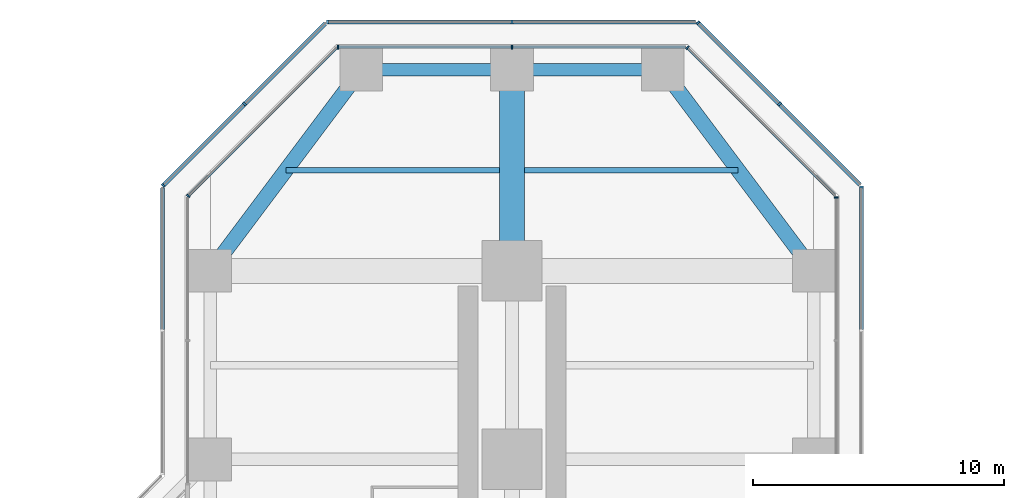
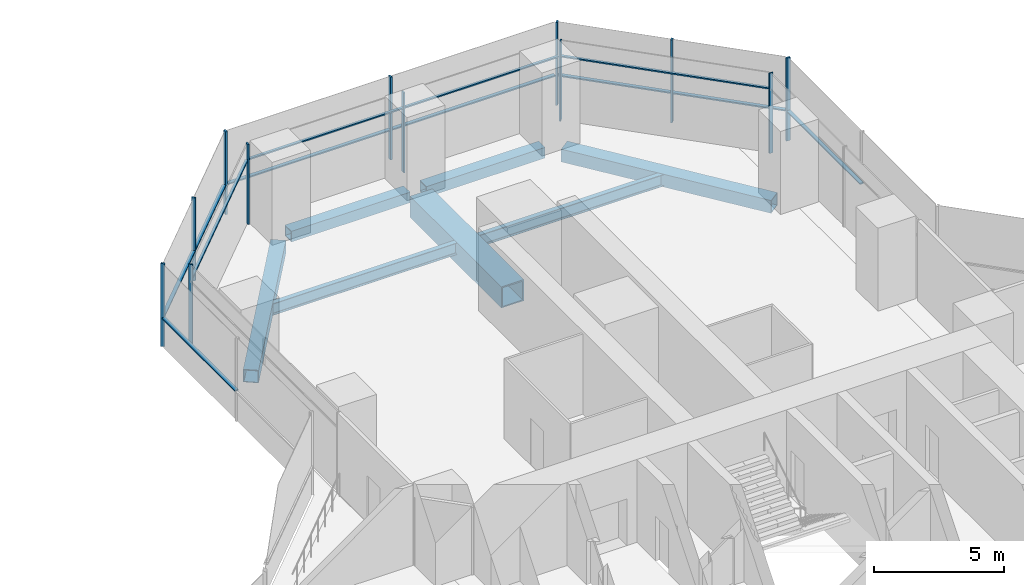
# One storey, part 13 of 22: 24 members, 7 beams, 9 elements without a shape of their own.
"""IFC4 building model written with IfcOpenShell, lengths in metres."""

from ifc_helpers import new_model, si_unit, direction, frame, origin, origin_2d, place, context, subcontext, project, spatial, rectangle, hollow_rectangle, i_section, extrude, material, material_profile, profile_set, type_object, element, aggregate, save


model = new_model("IFC4")

# Units and contexts
model_context = context("Model", 3, precision=1e-05, world=origin(), true_north=direction((0.0, 1.0)))
body_context = subcontext(model_context, "Body", "Model", "MODEL_VIEW")
ifc_project = project(units=[si_unit("LENGTHUNIT", "METRE"), si_unit("AREAUNIT", "SQUARE_METRE"), si_unit("VOLUMEUNIT", "CUBIC_METRE"), si_unit("PLANEANGLEUNIT", "RADIAN"), si_unit("MASSUNIT", "GRAM", prefix="KILO")], contexts=[model_context])

# Site, building, storey
site_placement = place(None, origin())
site = spatial("IfcSite", under=ifc_project, at=site_placement, CompositionType="ELEMENT")
building_placement = place(site_placement, origin())
building = spatial("IfcBuilding", under=site, at=building_placement, Name="Mizan Broadcast Tower", CompositionType="ELEMENT")
storey_placement = place(building_placement, frame((0.0, 0.0, 55.199951171875)))
storey = spatial("IfcBuildingStorey", under=building, at=storey_placement, Name="L10", CompositionType="ELEMENT", Elevation=55.199951171875)

# Beams
ifc_material_1 = material(Name="Steel S355", Category="steel")
ifc_material_profile_1 = material_profile(ifc_material_1, hollow_rectangle(XDim=0.5, YDim=0.5, WallThickness=0.030029296875, at=origin_2d()), Name="BOX 500x500x30")
ifc_profile_set_1 = profile_set([ifc_material_profile_1], Name="Steel S355")
beam_type_1 = type_object("IfcBeamType", Name="EDGE BEAM BOX 500x500x30", PredefinedType="SPANDREL", material=ifc_profile_set_1)
for number, where, z_axis, x_axis, name in (
    (1, (5.639892578125, 35.0, -0.3798828125), (-1.0, 0.0, 0.0), (0.0, -1.0, 0.0), "Edge beam BOX 500x500x30 L10 north arm"),
    (2, (-5.639892578125, 35.0, -0.3798828125), (1.0, 0.0, 0.0), (0.0, 1.0, 0.0), "Edge beam BOX 500x500x30 L10 north arm"),
):
    element("IfcBeam", number, at=place(storey_placement, frame(where, z_axis=z_axis, x_axis=x_axis)), inside=storey, type_object=beam_type_1, Name=name, PredefinedType="SPANDREL", context=body_context, shape_type="SweptSolid", body=[
        extrude(hollow_rectangle(XDim=0.5, YDim=0.5, WallThickness=0.030029296875, at=origin_2d()), origin(), (0.0, 0.0, 1.0), 5.27978515625),
    ])
ifc_material_2 = material(Name="Steel S355", Category="steel")
ifc_material_profile_2 = material_profile(ifc_material_2, hollow_rectangle(XDim=0.60009765625, YDim=0.60009765625, WallThickness=0.030029296875, at=origin_2d()), Name="BOX 600x600x30")
ifc_profile_set_2 = profile_set([ifc_material_profile_2], Name="Steel S355")
beam_type_2 = type_object("IfcBeamType", Name="EDGE BEAM BOX 600x600x30", PredefinedType="SPANDREL", material=ifc_profile_set_2)
for number, where, z_axis, x_axis, name in (
    (3, (11.639892578125, 27.47998046875, -0.429931640625), (-0.599982243973, 0.800013316712, 0.0), (-0.800013316712, -0.599982243973, 0.0), "Edge beam BOX 600x600x30 L10 north arm"),
    (4, (-11.639892578125, 27.47998046875, -0.429931640625), (0.599982243973, 0.800013316712, 0.0), (-0.800013316712, 0.599982243973, 0.0), "Edge beam BOX 600x600x30 L10 north arm"),
):
    element("IfcBeam", number, at=place(storey_placement, frame(where, z_axis=z_axis, x_axis=x_axis)), inside=storey, type_object=beam_type_2, Name=name, PredefinedType="SPANDREL", context=body_context, shape_type="SweptSolid", body=[
        extrude(hollow_rectangle(XDim=0.60009765625, YDim=0.60009765625, WallThickness=0.030029296875, at=origin_2d()), origin(), (0.0, 0.0, 1.0), 8.7998046875),
    ])
ifc_material_3 = material(Name="Steel S460", Category="steel")
ifc_material_profile_3 = material_profile(ifc_material_3, hollow_rectangle(XDim=1.0, YDim=1.0, WallThickness=0.06005859375, at=origin_2d()), Name="BOX 1000x1000x60")
ifc_profile_set_3 = profile_set([ifc_material_profile_3], Name="Steel S460")
beam_type_3 = type_object("IfcBeamType", Name="GIRDER BOX 1000x1000x60", PredefinedType="BEAM", material=ifc_profile_set_3)
beam_placement = place(storey_placement, frame((0.0, 27.47998046875, -0.6298828125), z_axis=(0.0, 1.0, 0.0), x_axis=(-1.0, 0.0, 0.0)))
element("IfcBeam", 5, at=beam_placement, inside=storey, type_object=beam_type_3, Name="Girder BOX 1000x1000x60 L10 north arm", PredefinedType="BEAM", context=body_context, shape_type="SweptSolid", body=[
    extrude(hollow_rectangle(XDim=1.0, YDim=1.0, WallThickness=0.06005859375, at=origin_2d()), origin(), (0.0, 0.0, 1.0), 7.0400390625),
])

# Curtain wall, member
ifc_material_4 = material(Name="Aluminium framed glazing", Category="aluminium")
curtain_wall_type_1 = type_object("IfcCurtainWallType", Name="INNER SKIN LOW ZONE", PredefinedType="USERDEFINED", material=ifc_material_4)
curtain_wall_1_placement = place(storey_placement, origin())
curtain_wall_1 = element("IfcCurtainWall", 6, at=curtain_wall_1_placement, inside=storey, type_object=curtain_wall_type_1, Name="Inner skin low zone L10 N side", ObjectType="INNER SKIN LOW ZONE", PredefinedType="USERDEFINED")
ifc_material_5 = material(Name="Aluminium, pale anodised", Category="aluminium")
ifc_material_profile_4 = material_profile(ifc_material_5, rectangle(XDim=0.159912109375, YDim=0.06005859375, at=origin_2d()), Name="MULLION 160x60")
ifc_profile_set_4 = profile_set([ifc_material_profile_4], Name="Aluminium, pale anodised")
member_type_1 = type_object("IfcMemberType", Name="INNER SKIN MULLION 60x160", PredefinedType="MULLION", material=ifc_profile_set_4)
member_1_placement = place(storey_placement, frame((12.89990234375, 29.928466796875, 0.0), z_axis=(0.0, 0.0, 1.0), x_axis=(-1.0, 0.0, 0.0)))
member_1 = element("IfcMember", 7, at=member_1_placement, type_object=member_type_1, Name="Inner skin low zone L10 N side mullion 3", PredefinedType="MULLION", context=body_context, shape_type="SweptSolid", body=[
    extrude(rectangle(XDim=0.159912109375, YDim=0.06005859375, at=origin_2d()), origin(), (0.0, 0.0, 1.0), 3.77001953125),
])
aggregate(curtain_wall_1, [member_1])

curtain_wall_2_placement = place(storey_placement, origin())
curtain_wall_2 = element("IfcCurtainWall", 8, at=curtain_wall_2_placement, inside=storey, type_object=curtain_wall_type_1, Name="Inner skin low zone L10 N chamfer", ObjectType="INNER SKIN LOW ZONE", PredefinedType="USERDEFINED")
member_2_placement = place(storey_placement, frame((6.979736328125, 35.87890625, 0.0), z_axis=(0.0, 0.0, 1.0), x_axis=(-0.707106781187, -0.707106781187, 0.0)))
member_2 = element("IfcMember", 9, at=member_2_placement, type_object=member_type_1, Name="Inner skin low zone L10 N chamfer mullion 2", PredefinedType="MULLION", context=body_context, shape_type="SweptSolid", body=[
    extrude(rectangle(XDim=0.159912109375, YDim=0.06005859375, at=origin_2d()), origin(), (0.0, 0.0, 1.0), 3.77001953125),
])

# Curtain wall, members
curtain_wall_3_placement = place(storey_placement, origin())
curtain_wall_3 = element("IfcCurtainWall", 10, at=curtain_wall_3_placement, inside=storey, type_object=curtain_wall_type_1, Name="Inner skin low zone L10 N end", ObjectType="INNER SKIN LOW ZONE", PredefinedType="USERDEFINED")
member_3_placement = place(storey_placement, frame((0.0, 35.89990234375, 0.0), z_axis=(0.0, 0.0, 1.0), x_axis=(0.0, -1.0, 0.0)))
member_3 = element("IfcMember", 11, at=member_3_placement, type_object=member_type_1, Name="Inner skin low zone L10 N end mullion 2", PredefinedType="MULLION", context=body_context, shape_type="SweptSolid", body=[
    extrude(rectangle(XDim=0.159912109375, YDim=0.06005859375, at=origin_2d()), origin(), (0.0, 0.0, 1.0), 3.77001953125),
])
member_4_placement = place(storey_placement, frame((-6.928466796875, 35.89990234375, 0.0), z_axis=(0.0, 0.0, 1.0), x_axis=(0.0, -1.0, 0.0)))
member_4 = element("IfcMember", 12, at=member_4_placement, type_object=member_type_1, Name="Inner skin low zone L10 N end mullion 3", PredefinedType="MULLION", context=body_context, shape_type="SweptSolid", body=[
    extrude(rectangle(XDim=0.159912109375, YDim=0.06005859375, at=origin_2d()), origin(), (0.0, 0.0, 1.0), 3.77001953125),
])

# Curtain wall, member
curtain_wall_4_placement = place(storey_placement, origin())
curtain_wall_4 = element("IfcCurtainWall", 13, at=curtain_wall_4_placement, inside=storey, type_object=curtain_wall_type_1, Name="Inner skin low zone L10 N chamfer", ObjectType="INNER SKIN LOW ZONE", PredefinedType="USERDEFINED")
member_5_placement = place(storey_placement, frame((-12.87890625, 29.979736328125, 0.0), z_axis=(0.0, 0.0, 1.0), x_axis=(0.707106781187, -0.707106781187, 0.0)))
member_5 = element("IfcMember", 14, at=member_5_placement, type_object=member_type_1, Name="Inner skin low zone L10 N chamfer mullion 2", PredefinedType="MULLION", context=body_context, shape_type="SweptSolid", body=[
    extrude(rectangle(XDim=0.159912109375, YDim=0.06005859375, at=origin_2d()), origin(), (0.0, 0.0, 1.0), 3.77001953125),
])

# Member
ifc_material_6 = material(Name="Aluminium, pale anodised", Category="aluminium")
ifc_material_profile_5 = material_profile(ifc_material_6, rectangle(XDim=0.1201171875, YDim=0.06005859375, at=origin_2d()), Name="TRANSOM 120x60")
ifc_profile_set_5 = profile_set([ifc_material_profile_5], Name="Aluminium, pale anodised")
member_type_2 = type_object("IfcMemberType", Name="INNER SKIN TRANSOM 60x120", PredefinedType="USERDEFINED", material=ifc_profile_set_5)
member_6_placement = place(storey_placement, frame((12.857666015625, 30.0009765625, 3.030029296875), z_axis=(-0.707106781187, 0.707106781187, 0.0), x_axis=(-0.707106781187, -0.707106781187, 0.0)))
member_6 = element("IfcMember", 15, at=member_6_placement, type_object=member_type_2, Name="Inner skin low zone L10 N chamfer transom 1.1", ObjectType="TRANSOM", PredefinedType="USERDEFINED", context=body_context, shape_type="SweptSolid", body=[
    extrude(rectangle(XDim=0.1201171875, YDim=0.06005859375, at=origin_2d()), origin(), (0.0, 0.0, 1.0), 8.28271484375),
])

aggregate(curtain_wall_2, [member_2, member_6])

member_7_placement = place(storey_placement, frame((6.898681640625, 35.89990234375, 3.030029296875), z_axis=(-1.0, 0.0, 0.0), x_axis=(0.0, -1.0, 0.0)))
member_7 = element("IfcMember", 16, at=member_7_placement, type_object=member_type_2, Name="Inner skin low zone L10 N end transom 1.1", ObjectType="TRANSOM", PredefinedType="USERDEFINED", context=body_context, shape_type="SweptSolid", body=[
    extrude(rectangle(XDim=0.1201171875, YDim=0.06005859375, at=origin_2d()), origin(), (0.0, 0.0, 1.0), 6.86865234375),
])

member_8_placement = place(storey_placement, frame((-0.030029296875, 35.89990234375, 3.030029296875), z_axis=(-1.0, 0.0, 0.0), x_axis=(0.0, -1.0, 0.0)))
member_8 = element("IfcMember", 17, at=member_8_placement, type_object=member_type_2, Name="Inner skin low zone L10 N end transom 2.1", ObjectType="TRANSOM", PredefinedType="USERDEFINED", context=body_context, shape_type="SweptSolid", body=[
    extrude(rectangle(XDim=0.1201171875, YDim=0.06005859375, at=origin_2d()), origin(), (0.0, 0.0, 1.0), 6.86865234375),
])

aggregate(curtain_wall_3, [member_3, member_4, member_7, member_8])

member_9_placement = place(storey_placement, frame((-7.0009765625, 35.857666015625, 3.030029296875), z_axis=(-0.707106781187, -0.707106781187, 0.0), x_axis=(0.707106781187, -0.707106781187, 0.0)))
member_9 = element("IfcMember", 18, at=member_9_placement, type_object=member_type_2, Name="Inner skin low zone L10 N chamfer transom 1.1", ObjectType="TRANSOM", PredefinedType="USERDEFINED", context=body_context, shape_type="SweptSolid", body=[
    extrude(rectangle(XDim=0.1201171875, YDim=0.06005859375, at=origin_2d()), origin(), (0.0, 0.0, 1.0), 8.28271484375),
])

aggregate(curtain_wall_4, [member_5, member_9])

# Curtain wall, member
ifc_material_7 = material(Name="Aluminium framed glazing", Category="aluminium")
curtain_wall_type_2 = type_object("IfcCurtainWallType", Name="OUTER SKIN", PredefinedType="USERDEFINED", material=ifc_material_7)
curtain_wall_5_placement = place(storey_placement, origin())
curtain_wall_5 = element("IfcCurtainWall", 19, at=curtain_wall_5_placement, inside=storey, type_object=curtain_wall_type_2, Name="Outer skin L10 N side", ObjectType="OUTER SKIN", PredefinedType="USERDEFINED")
ifc_material_8 = material(Name="Aluminium, pale anodised", Category="aluminium")
ifc_material_profile_6 = material_profile(ifc_material_8, rectangle(XDim=0.159912109375, YDim=0.080078125, at=origin_2d()), Name="MULLION 160x80")
ifc_profile_set_6 = profile_set([ifc_material_profile_6], Name="Aluminium, pale anodised")
member_type_3 = type_object("IfcMemberType", Name="OUTER SKIN MULLION 80x160", PredefinedType="MULLION", material=ifc_profile_set_6)
member_10_placement = place(storey_placement, frame((13.89990234375, 30.332763671875, 0.0), z_axis=(0.0, 0.0, 1.0), x_axis=(-1.0, 0.0, 0.0)))
member_10 = element("IfcMember", 20, at=member_10_placement, type_object=member_type_3, Name="Outer skin L10 N side mullion 3", PredefinedType="MULLION", context=body_context, shape_type="SweptSolid", body=[
    extrude(rectangle(XDim=0.159912109375, YDim=0.080078125, at=origin_2d()), origin(), (0.0, 0.0, 1.0), 3.900146484375),
])

# Curtain wall, members
curtain_wall_6_placement = place(storey_placement, origin())
curtain_wall_6 = element("IfcCurtainWall", 21, at=curtain_wall_6_placement, inside=storey, type_object=curtain_wall_type_2, Name="Outer skin L10 N chamfer", ObjectType="OUTER SKIN", PredefinedType="USERDEFINED")
member_11_placement = place(storey_placement, frame((10.636474609375, 33.636474609375, 0.0), z_axis=(0.0, 0.0, 1.0), x_axis=(-0.707106781187, -0.707106781187, 0.0)))
member_11 = element("IfcMember", 22, at=member_11_placement, type_object=member_type_3, Name="Outer skin L10 N chamfer mullion 2", PredefinedType="MULLION", context=body_context, shape_type="SweptSolid", body=[
    extrude(rectangle(XDim=0.159912109375, YDim=0.080078125, at=origin_2d()), origin(), (0.0, 0.0, 1.0), 3.900146484375),
])
member_12_placement = place(storey_placement, frame((7.401123046875, 36.871826171875, 0.0), z_axis=(0.0, 0.0, 1.0), x_axis=(-0.707106781187, -0.707106781187, 0.0)))
member_12 = element("IfcMember", 23, at=member_12_placement, type_object=member_type_3, Name="Outer skin L10 N chamfer mullion 3", PredefinedType="MULLION", context=body_context, shape_type="SweptSolid", body=[
    extrude(rectangle(XDim=0.159912109375, YDim=0.080078125, at=origin_2d()), origin(), (0.0, 0.0, 1.0), 3.900146484375),
])

curtain_wall_7_placement = place(storey_placement, origin())
curtain_wall_7 = element("IfcCurtainWall", 24, at=curtain_wall_7_placement, inside=storey, type_object=curtain_wall_type_2, Name="Outer skin L10 N end", ObjectType="OUTER SKIN", PredefinedType="USERDEFINED")
member_13_placement = place(storey_placement, frame((0.0, 36.89990234375, 0.0), z_axis=(0.0, 0.0, 1.0), x_axis=(0.0, -1.0, 0.0)))
member_13 = element("IfcMember", 25, at=member_13_placement, type_object=member_type_3, Name="Outer skin L10 N end mullion 2", PredefinedType="MULLION", context=body_context, shape_type="SweptSolid", body=[
    extrude(rectangle(XDim=0.159912109375, YDim=0.080078125, at=origin_2d()), origin(), (0.0, 0.0, 1.0), 3.900146484375),
])
member_14_placement = place(storey_placement, frame((-7.332763671875, 36.89990234375, 0.0), z_axis=(0.0, 0.0, 1.0), x_axis=(0.0, -1.0, 0.0)))
member_14 = element("IfcMember", 26, at=member_14_placement, type_object=member_type_3, Name="Outer skin L10 N end mullion 3", PredefinedType="MULLION", context=body_context, shape_type="SweptSolid", body=[
    extrude(rectangle(XDim=0.159912109375, YDim=0.080078125, at=origin_2d()), origin(), (0.0, 0.0, 1.0), 3.900146484375),
])

curtain_wall_8_placement = place(storey_placement, origin())
curtain_wall_8 = element("IfcCurtainWall", 27, at=curtain_wall_8_placement, inside=storey, type_object=curtain_wall_type_2, Name="Outer skin L10 N chamfer", ObjectType="OUTER SKIN", PredefinedType="USERDEFINED")
member_15_placement = place(storey_placement, frame((-10.636474609375, 33.636474609375, 0.0), z_axis=(0.0, 0.0, 1.0), x_axis=(0.707106781187, -0.707106781187, 0.0)))
member_15 = element("IfcMember", 28, at=member_15_placement, type_object=member_type_3, Name="Outer skin L10 N chamfer mullion 2", PredefinedType="MULLION", context=body_context, shape_type="SweptSolid", body=[
    extrude(rectangle(XDim=0.159912109375, YDim=0.080078125, at=origin_2d()), origin(), (0.0, 0.0, 1.0), 3.900146484375),
])
member_16_placement = place(storey_placement, frame((-13.871826171875, 30.401123046875, 0.0), z_axis=(0.0, 0.0, 1.0), x_axis=(0.707106781187, -0.707106781187, 0.0)))
member_16 = element("IfcMember", 29, at=member_16_placement, type_object=member_type_3, Name="Outer skin L10 N chamfer mullion 3", PredefinedType="MULLION", context=body_context, shape_type="SweptSolid", body=[
    extrude(rectangle(XDim=0.159912109375, YDim=0.080078125, at=origin_2d()), origin(), (0.0, 0.0, 1.0), 3.900146484375),
])

# Member
ifc_material_9 = material(Name="Aluminium, pale anodised", Category="aluminium")
ifc_material_profile_7 = material_profile(ifc_material_9, rectangle(XDim=0.159912109375, YDim=0.06005859375, at=origin_2d()), Name="TRANSOM 160x60")
ifc_profile_set_7 = profile_set([ifc_material_profile_7], Name="Aluminium, pale anodised")
member_type_4 = type_object("IfcMemberType", Name="OUTER SKIN TRANSOM 60x160", PredefinedType="USERDEFINED", material=ifc_profile_set_7)
member_17_placement = place(storey_placement, frame((13.89990234375, 24.662841796875, 1.400146484375), z_axis=(0.0, 1.0, 0.0), x_axis=(-1.0, 0.0, 0.0)))
member_17 = element("IfcMember", 30, at=member_17_placement, type_object=member_type_4, Name="Outer skin L10 N side transom 2.1", ObjectType="TRANSOM", PredefinedType="USERDEFINED", context=body_context, shape_type="SweptSolid", body=[
    extrude(rectangle(XDim=0.159912109375, YDim=0.06005859375, at=origin_2d()), origin(), (0.0, 0.0, 1.0), 5.6298828125),
])

aggregate(curtain_wall_5, [member_10, member_17])

member_18_placement = place(storey_placement, frame((13.843505859375, 30.429443359375, 1.400146484375), z_axis=(-0.707106781187, 0.707106781187, 0.0), x_axis=(-0.707106781187, -0.707106781187, 0.0)))
member_18 = element("IfcMember", 31, at=member_18_placement, type_object=member_type_4, Name="Outer skin L10 N chamfer transom 1.1", ObjectType="TRANSOM", PredefinedType="USERDEFINED", context=body_context, shape_type="SweptSolid", body=[
    extrude(rectangle(XDim=0.159912109375, YDim=0.06005859375, at=origin_2d()), origin(), (0.0, 0.0, 1.0), 4.495361328125),
])

member_19_placement = place(storey_placement, frame((10.608154296875, 33.664794921875, 1.400146484375), z_axis=(-0.707106781187, 0.707106781187, 0.0), x_axis=(-0.707106781187, -0.707106781187, 0.0)))
member_19 = element("IfcMember", 32, at=member_19_placement, type_object=member_type_4, Name="Outer skin L10 N chamfer transom 2.1", ObjectType="TRANSOM", PredefinedType="USERDEFINED", context=body_context, shape_type="SweptSolid", body=[
    extrude(rectangle(XDim=0.159912109375, YDim=0.06005859375, at=origin_2d()), origin(), (0.0, 0.0, 1.0), 4.495361328125),
])

aggregate(curtain_wall_6, [member_11, member_12, member_18, member_19])

member_20_placement = place(storey_placement, frame((7.292724609375, 36.89990234375, 1.400146484375), z_axis=(-1.0, 0.0, 0.0), x_axis=(0.0, -1.0, 0.0)))
member_20 = element("IfcMember", 33, at=member_20_placement, type_object=member_type_4, Name="Outer skin L10 N end transom 1.1", ObjectType="TRANSOM", PredefinedType="USERDEFINED", context=body_context, shape_type="SweptSolid", body=[
    extrude(rectangle(XDim=0.159912109375, YDim=0.06005859375, at=origin_2d()), origin(), (0.0, 0.0, 1.0), 7.252685546875),
])

member_21_placement = place(storey_placement, frame((-0.0400390625, 36.89990234375, 1.400146484375), z_axis=(-1.0, 0.0, 0.0), x_axis=(0.0, -1.0, 0.0)))
member_21 = element("IfcMember", 34, at=member_21_placement, type_object=member_type_4, Name="Outer skin L10 N end transom 2.1", ObjectType="TRANSOM", PredefinedType="USERDEFINED", context=body_context, shape_type="SweptSolid", body=[
    extrude(rectangle(XDim=0.159912109375, YDim=0.06005859375, at=origin_2d()), origin(), (0.0, 0.0, 1.0), 7.252685546875),
])

aggregate(curtain_wall_7, [member_13, member_14, member_20, member_21])

member_22_placement = place(storey_placement, frame((-7.429443359375, 36.843505859375, 1.400146484375), z_axis=(-0.707106781187, -0.707106781187, 0.0), x_axis=(0.707106781187, -0.707106781187, 0.0)))
member_22 = element("IfcMember", 35, at=member_22_placement, type_object=member_type_4, Name="Outer skin L10 N chamfer transom 1.1", ObjectType="TRANSOM", PredefinedType="USERDEFINED", context=body_context, shape_type="SweptSolid", body=[
    extrude(rectangle(XDim=0.159912109375, YDim=0.06005859375, at=origin_2d()), origin(), (0.0, 0.0, 1.0), 4.495361328125),
])

member_23_placement = place(storey_placement, frame((-10.664794921875, 33.608154296875, 1.400146484375), z_axis=(-0.707106781187, -0.707106781187, 0.0), x_axis=(0.707106781187, -0.707106781187, 0.0)))
member_23 = element("IfcMember", 36, at=member_23_placement, type_object=member_type_4, Name="Outer skin L10 N chamfer transom 2.1", ObjectType="TRANSOM", PredefinedType="USERDEFINED", context=body_context, shape_type="SweptSolid", body=[
    extrude(rectangle(XDim=0.159912109375, YDim=0.06005859375, at=origin_2d()), origin(), (0.0, 0.0, 1.0), 4.495361328125),
])

aggregate(curtain_wall_8, [member_15, member_16, member_22, member_23])

# Curtain wall, member
curtain_wall_9_placement = place(storey_placement, origin())
curtain_wall_9 = element("IfcCurtainWall", 37, at=curtain_wall_9_placement, inside=storey, type_object=curtain_wall_type_2, Name="Outer skin L10 N side", ObjectType="OUTER SKIN", PredefinedType="USERDEFINED")
member_24_placement = place(storey_placement, frame((-13.89990234375, 30.292724609375, 1.400146484375), z_axis=(0.0, -1.0, 0.0), x_axis=(1.0, 0.0, 0.0)))
member_24 = element("IfcMember", 38, at=member_24_placement, type_object=member_type_4, Name="Outer skin L10 N side transom 1.1", ObjectType="TRANSOM", PredefinedType="USERDEFINED", context=body_context, shape_type="SweptSolid", body=[
    extrude(rectangle(XDim=0.159912109375, YDim=0.06005859375, at=origin_2d()), origin(), (0.0, 0.0, 1.0), 5.6298828125),
])
aggregate(curtain_wall_9, [member_24])

# Beams
ifc_material_10 = material(Name="Steel S355", Category="steel")
ifc_material_profile_8 = material_profile(ifc_material_10, i_section(OverallWidth=0.2099609375, OverallDepth=0.550048828125, WebThickness=0.010986328125, FlangeThickness=0.01708984375, FilletRadius=0.02392578125, at=origin_2d()), Name="IPE 550")
ifc_profile_set_8 = profile_set([ifc_material_profile_8], Name="Steel S355")
beam_type_4 = type_object("IfcBeamType", Name="SECONDARY BEAM IPE 550", PredefinedType="JOIST", material=ifc_profile_set_8)
for number, where, z_axis, x_axis, name in (
    (39, (9.0, 31.0, -0.405029296875), (-1.0, 0.0, 0.0), (0.0, -1.0, 0.0), "Secondary beam IPE 550 L10 north arm"),
    (40, (-9.0, 31.0, -0.405029296875), (1.0, 0.0, 0.0), (0.0, 1.0, 0.0), "Secondary beam IPE 550 L10 north arm"),
):
    element("IfcBeam", number, at=place(storey_placement, frame(where, z_axis=z_axis, x_axis=x_axis)), inside=storey, type_object=beam_type_4, Name=name, PredefinedType="JOIST", context=body_context, shape_type="SweptSolid", body=[
        extrude(i_section(OverallWidth=0.2099609375, OverallDepth=0.550048828125, WebThickness=0.010986328125, FlangeThickness=0.01708984375, FilletRadius=0.02392578125, at=origin_2d()), origin(), (0.0, 0.0, 1.0), 8.5),
    ])

save(model, "model.ifc")
